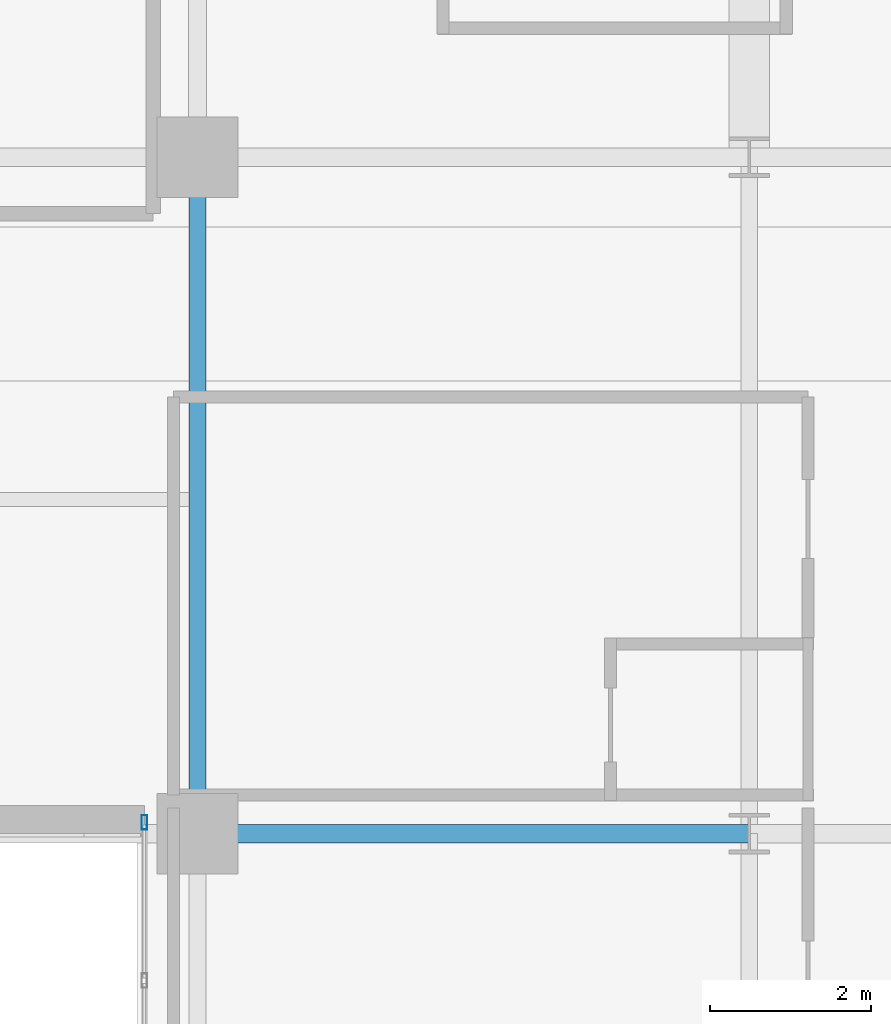
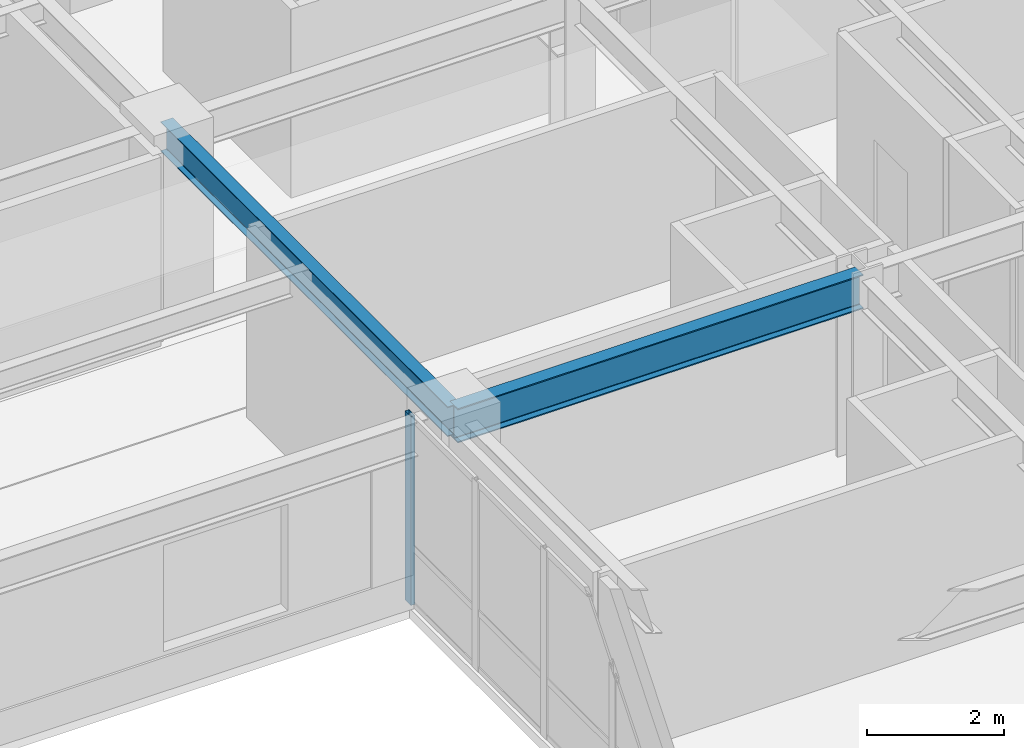
# One storey, part 18 of 37: 2 beams, 1 member, 1 element without a shape of its own.
"""IFC4 building model written with IfcOpenShell, lengths in metres."""

from ifc_helpers import new_model, si_unit, direction, frame, origin, origin_2d, place, context, subcontext, project, spatial, hollow_rectangle, i_section, extrude, source, transform, mapped, material, layer, layer_set, material_profile, profile_set, type_object, type_shapes, element, aggregate, save


model = new_model("IFC4")

# Units and contexts
model_context = context("Model", 3, precision=1e-05, world=origin(), true_north=direction((0.0, 1.0)))
body_context = subcontext(model_context, "Body", "Model", "MODEL_VIEW")
ifc_project = project(units=[si_unit("LENGTHUNIT", "METRE"), si_unit("AREAUNIT", "SQUARE_METRE"), si_unit("VOLUMEUNIT", "CUBIC_METRE"), si_unit("PLANEANGLEUNIT", "RADIAN"), si_unit("MASSUNIT", "GRAM", prefix="KILO")], contexts=[model_context])

# Site, building, storey
site_placement = place(None, origin())
site = spatial("IfcSite", under=ifc_project, at=site_placement, CompositionType="ELEMENT")
building_placement = place(site_placement, origin())
building = spatial("IfcBuilding", under=site, at=building_placement, Name="Tolvann Quenvar Hotel", CompositionType="ELEMENT")
storey_placement = place(building_placement, frame((0.0, 0.0, 53.300048828125)))
storey = spatial("IfcBuildingStorey", under=building, at=storey_placement, Name="L12", CompositionType="ELEMENT", Elevation=53.300048828125)

# Beams
ifc_material_1 = material(Name="Steel Grade 350", Category="steel")
ifc_material_profile_1 = material_profile(ifc_material_1, i_section(OverallWidth=0.22900390625, OverallDepth=0.612060546875, WebThickness=0.011962890625, FlangeThickness=0.01953125, FilletRadius=0.013916015625, at=origin_2d()), Name="610UB125")
ifc_profile_set_1 = profile_set([ifc_material_profile_1], Name="Steel Grade 350")
beam_type_1 = type_object("IfcBeamType", Name="BM_GIRD_610UB125", PredefinedType="BEAM", material=ifc_profile_set_1)
shared_shape_1 = source(origin(), body_context, "Body", "SweptSolid", [
    extrude(i_section(OverallWidth=0.22900390625, OverallDepth=0.612060546875, WebThickness=0.011962890625, FlangeThickness=0.01953125, FilletRadius=0.013916015625, at=origin_2d()), origin(), (0.0, 0.0, 1.0), 6.85009765625),
])
type_shapes(beam_type_1, [shared_shape_1])
beam_1_placement = place(storey_placement, frame((34.949951171875, 16.0, 3.06396484375), z_axis=(1.0, 0.0, 0.0), x_axis=(0.0, 1.0, 0.0)))
element("IfcBeam", 1, at=beam_1_placement, inside=storey, type_object=beam_type_1, Name="BM-L12-EW-4-F4-H4", PredefinedType="BEAM", context=body_context, shape_type="MappedRepresentation", body=[
    mapped(shared_shape_1, transform((0.0, 0.0, 0.0), x_axis=(1.0, 0.0, 0.0), y_axis=(0.0, 1.0, 0.0), z_axis=(0.0, 0.0, 1.0), scale=1.0)),
])
ifc_material_profile_2 = material_profile(ifc_material_1, i_section(OverallWidth=0.208984375, OverallDepth=0.532958984375, WebThickness=0.01025390625, FlangeThickness=0.015625, FilletRadius=0.013916015625, at=origin_2d()), Name="530UB92")
ifc_profile_set_2 = profile_set([ifc_material_profile_2], Name="Steel Grade 350")
beam_type_2 = type_object("IfcBeamType", Name="BM_GIRD_530UB92", PredefinedType="BEAM", material=ifc_profile_set_2)
shared_shape_2 = source(origin(), body_context, "Body", "SweptSolid", [
    extrude(i_section(OverallWidth=0.208984375, OverallDepth=0.532958984375, WebThickness=0.01025390625, FlangeThickness=0.015625, FilletRadius=0.013916015625, at=origin_2d()), origin(), (0.0, 0.0, 1.0), 8.39990234375),
])
type_shapes(beam_type_2, [shared_shape_2])
beam_2_placement = place(storey_placement, frame((34.949951171875, 16.0, 3.103515625), z_axis=(0.0, 1.0, 0.0), x_axis=(-1.0, 0.0, 0.0)))
element("IfcBeam", 2, at=beam_2_placement, inside=storey, type_object=beam_type_2, Name="BM-L12-NS-F4-F5", PredefinedType="BEAM", context=body_context, shape_type="MappedRepresentation", body=[
    mapped(shared_shape_2, transform((0.0, 0.0, 0.0), x_axis=(1.0, 0.0, 0.0), y_axis=(0.0, 1.0, 0.0), z_axis=(0.0, 0.0, 1.0), scale=1.0)),
])

# Curtain wall, member
ifc_material_2 = material(Name="Thermally broken anodised architectural aluminium 6063-T6 and laminated low-E glass", Category="aluminium")
ifc_layer = layer(ifc_material_2, 0.179931640625)
ifc_layer_set = layer_set([ifc_layer], Name="Thermally broken anodised architectural aluminium 6063-T6 and laminated low-E glass")
curtain_wall_type = type_object("IfcCurtainWallType", Name="CW_SYS_SLOT_03", PredefinedType="USERDEFINED", material=ifc_layer_set)
curtain_wall_placement = place(storey_placement, origin())
curtain_wall = element("IfcCurtainWall", 3, at=curtain_wall_placement, inside=storey, type_object=curtain_wall_type, Name="Curtain Wall CW-SLOT-03 (CWR-L12-E07)", ObjectType="UNITISED CURTAIN WALL", PredefinedType="USERDEFINED")
ifc_material_3 = material(Name="Anodised architectural aluminium 6063-T6 framing", Category="aluminium")
ifc_material_profile_3 = material_profile(ifc_material_3, hollow_rectangle(XDim=0.070068359375, YDim=0.179931640625, WallThickness=0.00390625, at=origin_2d()), Name="180x70x4RHS")
ifc_profile_set_3 = profile_set([ifc_material_profile_3], Name="Anodised architectural aluminium 6063-T6 framing")
member_type = type_object("IfcMemberType", Name="CW_MULL_180x70", PredefinedType="MULLION", material=ifc_profile_set_3)
shared_shape_3 = source(origin(), body_context, "Body", "SweptSolid", [
    extrude(hollow_rectangle(XDim=0.070068359375, YDim=0.179931640625, WallThickness=0.00390625, at=origin_2d()), origin(), (0.0, 0.0, 1.0), 3.369873046875),
])
type_shapes(member_type, [shared_shape_3])
member_placement = place(storey_placement, frame((34.2900390625, 16.139892578125, 0.0), z_axis=(0.0, 0.0, 1.0), x_axis=(1.0, 0.0, 0.0)))
member = element("IfcMember", 4, at=member_placement, type_object=member_type, Name="CW-SLOT-03 mullion 1", PredefinedType="MULLION", context=body_context, shape_type="MappedRepresentation", body=[
    mapped(shared_shape_3, transform((0.0, 0.0, 0.0), x_axis=(1.0, 0.0, 0.0), y_axis=(0.0, 1.0, 0.0), z_axis=(0.0, 0.0, 1.0), scale=1.0)),
])
aggregate(curtain_wall, [member])

save(model, "model.ifc")
